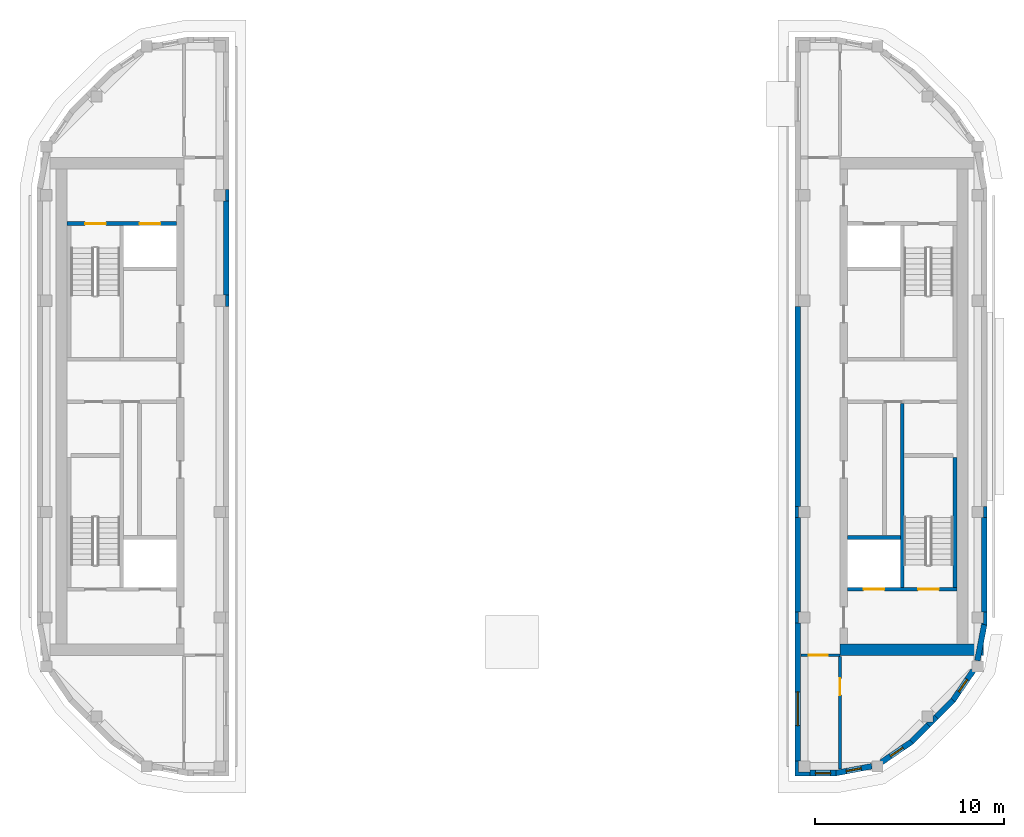
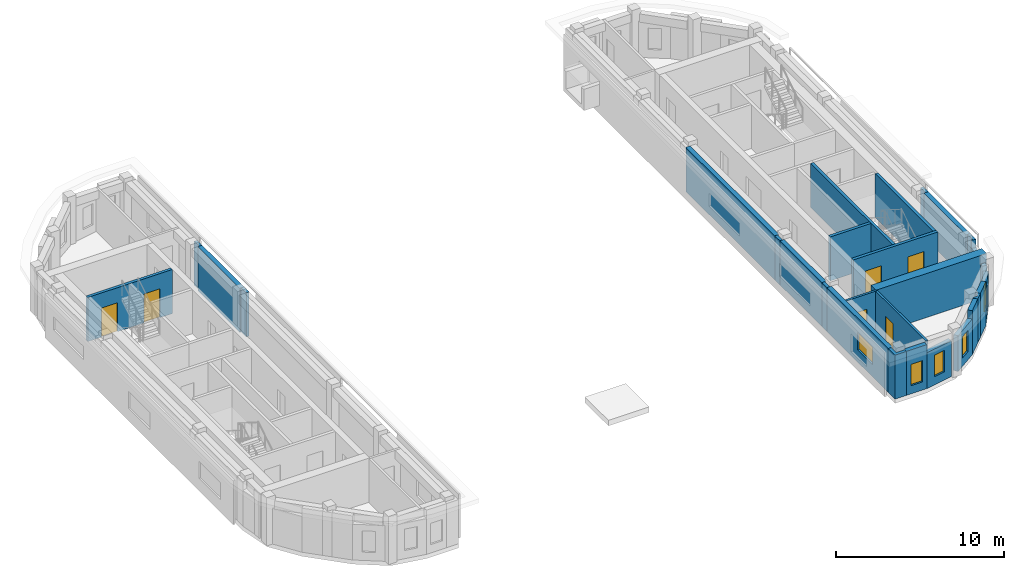
# One storey, part 3 of 11: 28 walls, 6 doors, 5 windows, 11 openings.
"""IFC4 building model written with IfcOpenShell, lengths in metres."""

from ifc_helpers import new_model, si_unit, direction, frame, frame_2d, origin, place, context, subcontext, project, spatial, polyline, rectangle, outline, extrude, material, layer, layer_set, type_object, element, fill, save


model = new_model("IFC4")

# Units and contexts
model_context = context("Model", 3, precision=1e-05, world=origin(), true_north=direction((0.0, 1.0)))
body_context = subcontext(model_context, "Body", "Model", "MODEL_VIEW")
ifc_project = project(units=[si_unit("LENGTHUNIT", "METRE"), si_unit("AREAUNIT", "SQUARE_METRE"), si_unit("VOLUMEUNIT", "CUBIC_METRE"), si_unit("PLANEANGLEUNIT", "RADIAN"), si_unit("MASSUNIT", "GRAM", prefix="KILO")], contexts=[model_context])

# Site, building, storey
site_placement = place(None, origin())
site = spatial("IfcSite", under=ifc_project, at=site_placement, CompositionType="ELEMENT")
building_placement = place(site_placement, origin())
building = spatial("IfcBuilding", under=site, at=building_placement, Name="Kiln Ring Residences", CompositionType="ELEMENT")
storey_placement = place(building_placement, frame((0.0, 0.0, 303.39990234375)))
storey = spatial("IfcBuildingStorey", under=building, at=storey_placement, Name="L78 Crown", CompositionType="ELEMENT", Elevation=303.39990234375)

# Wall
ifc_material_1 = material(Name="Gypsum shaft wall system")
ifc_layer_1 = layer(ifc_material_1, 0.199951171875)
ifc_layer_set_1 = layer_set([ifc_layer_1], Name="CORE-SHAFT-WALL-200")
wall_type_1 = type_object("IfcWallType", Name="CORE-SHAFT-WALL-200", PredefinedType="PARTITIONING", material=ifc_layer_set_1)
wall_1_placement = place(storey_placement, frame((17.800048828125, -6.949951171875, 0.0), z_axis=(0.0, 0.0, 1.0), x_axis=(1.0, 0.0, 0.0)))
element("IfcWall", 1, at=wall_1_placement, inside=storey, type_object=wall_type_1, Name="Core partition east L78 Crown 3", PredefinedType="PARTITIONING", context=body_context, shape_type="SweptSolid", body=[
    extrude(rectangle(XDim=2.800048828125, YDim=0.199951171875, at=frame_2d((1.39990234375, 0.0))), origin(), (0.0, 0.0, 1.0), 3.2001953125),
])

# Wall, openings, doors
ifc_material_2 = material(Name="Concrete C40/50", Category="concrete")
ifc_layer_2 = layer(ifc_material_2, 0.199951171875)
ifc_layer_set_2 = layer_set([ifc_layer_2], Name="CORE-WALL-RC200")
wall_type_2 = type_object("IfcWallType", Name="CORE-WALL-RC200", PredefinedType="SHEAR", material=ifc_layer_set_2)
wall_2_placement = place(storey_placement, frame((-17.800048828125, 9.699951171875, 0.0), z_axis=(0.0, 0.0, 1.0), x_axis=(-1.0, 0.0, 0.0)))
wall_2 = element("IfcWall", 2, at=wall_2_placement, inside=storey, type_object=wall_type_2, Name="Core wall west L78 Crown 9", PredefinedType="SHEAR", context=body_context, shape_type="SweptSolid", body=[
    extrude(rectangle(XDim=5.800048828125, YDim=0.199951171875, at=frame_2d((2.89990234375, 0.0))), origin(), (0.0, 0.0, 1.0), 3.2001953125),
])
opening_1_placement = place(wall_2_placement, frame((0.85009765625, 0.0, 0.0)))
opening_1 = element("IfcOpeningElement", 3, at=opening_1_placement, cuts=wall_2, Name="Opening L78-CW05", PredefinedType="OPENING", context=body_context, shape_type="SweptSolid", body=[
    extrude(rectangle(XDim=1.10009765625, YDim=2.10009765625, at=frame_2d((0.550048828125, 1.050048828125))), frame((0.0, 0.10986328125, 0.0), z_axis=(0.0, -1.0, 0.0), x_axis=(1.0, 0.0, 0.0)), (0.0, 0.0, 1.0), 0.219970703125),
])
opening_2_placement = place(wall_2_placement, frame((3.75, 0.0, 0.0)))
opening_2 = element("IfcOpeningElement", 4, at=opening_2_placement, cuts=wall_2, Name="Opening L78-CW08", PredefinedType="OPENING", context=body_context, shape_type="SweptSolid", body=[
    extrude(rectangle(XDim=1.10009765625, YDim=2.10009765625, at=frame_2d((0.550048828125, 1.050048828125))), frame((0.0, 0.10986328125, 0.0), z_axis=(0.0, -1.0, 0.0), x_axis=(1.0, 0.0, 0.0)), (0.0, 0.0, 1.0), 0.219970703125),
])
ifc_material_3 = material(Name="Steel door leaf", Category="steel")
door_type_1 = type_object("IfcDoorType", Name="CORE-DOOR-LD", OperationType="DOUBLE_DOOR_SLIDING", PredefinedType="DOOR", material=ifc_material_3)
door_1_placement = place(opening_1_placement, origin())
door_1 = element("IfcDoor", 5, at=door_1_placement, inside=storey, type_object=door_type_1, Name="LD W-FF L78-CW05", OperationType="DOUBLE_DOOR_SLIDING", OverallHeight=2.10009765625, OverallWidth=1.10009765625, PredefinedType="DOOR", context=body_context, shape_type="SweptSolid", body=[
    extrude(rectangle(XDim=1.10009765625, YDim=2.10009765625, at=frame_2d((0.550048828125, 1.050048828125))), frame((0.0, 0.02490234375, 0.0), z_axis=(0.0, -1.0, 0.0), x_axis=(1.0, 0.0, 0.0)), (0.0, 0.0, 1.0), 0.050048828125),
])
fill(opening_1, door_1)
ifc_material_4 = material(Name="Steel door leaf", Category="steel")
door_type_2 = type_object("IfcDoorType", Name="CORE-DOOR-STAIR", OperationType="SINGLE_SWING_LEFT", PredefinedType="DOOR", material=ifc_material_4)
door_2_placement = place(opening_2_placement, origin())
door_2 = element("IfcDoor", 6, at=door_2_placement, inside=storey, type_object=door_type_2, Name="Stair W-STN L78-CW08", OperationType="SINGLE_SWING_RIGHT", OverallHeight=2.10009765625, OverallWidth=1.10009765625, PredefinedType="DOOR", context=body_context, shape_type="SweptSolid", body=[
    extrude(rectangle(XDim=1.10009765625, YDim=2.10009765625, at=frame_2d((0.550048828125, 1.050048828125))), frame((0.0, 0.02490234375, 0.0), z_axis=(0.0, -1.0, 0.0), x_axis=(1.0, 0.0, 0.0)), (0.0, 0.0, 1.0), 0.050048828125),
])
fill(opening_2, door_2)

# Wall
wall_3_placement = place(storey_placement, frame((20.699951171875, -9.60009765625, 0.0), z_axis=(0.0, 0.0, 1.0), x_axis=(0.0, 1.0, 0.0)))
element("IfcWall", 7, at=wall_3_placement, inside=storey, type_object=wall_type_2, Name="Core wall east L78 Crown 2", PredefinedType="SHEAR", context=body_context, shape_type="SweptSolid", body=[
    extrude(rectangle(XDim=9.75, YDim=0.199951171875, at=frame_2d((4.875, 0.0))), origin(), (0.0, 0.0, 1.0), 3.2001953125),
])

# Wall, openings, doors
wall_4_placement = place(storey_placement, frame((17.800048828125, -9.699951171875, 0.0), z_axis=(0.0, 0.0, 1.0), x_axis=(1.0, 0.0, 0.0)))
wall_4 = element("IfcWall", 8, at=wall_4_placement, inside=storey, type_object=wall_type_2, Name="Core wall east L78 Crown 8", PredefinedType="SHEAR", context=body_context, shape_type="SweptSolid", body=[
    extrude(rectangle(XDim=5.800048828125, YDim=0.199951171875, at=frame_2d((2.89990234375, 0.0))), origin(), (0.0, 0.0, 1.0), 3.2001953125),
])
opening_3_placement = place(wall_4_placement, frame((0.85009765625, 0.0, 0.0)))
opening_3 = element("IfcOpeningElement", 9, at=opening_3_placement, cuts=wall_4, Name="Opening L78-CE01", PredefinedType="OPENING", context=body_context, shape_type="SweptSolid", body=[
    extrude(rectangle(XDim=1.10009765625, YDim=2.10009765625, at=frame_2d((0.550048828125, 1.050048828125))), frame((0.0, 0.10986328125, 0.0), z_axis=(0.0, -1.0, 0.0), x_axis=(1.0, 0.0, 0.0)), (0.0, 0.0, 1.0), 0.219970703125),
])
opening_4_placement = place(wall_4_placement, frame((3.75, 0.0, 0.0)))
opening_4 = element("IfcOpeningElement", 10, at=opening_4_placement, cuts=wall_4, Name="Opening L78-CE09", PredefinedType="OPENING", context=body_context, shape_type="SweptSolid", body=[
    extrude(rectangle(XDim=1.10009765625, YDim=2.10009765625, at=frame_2d((0.550048828125, 1.050048828125))), frame((0.0, 0.10986328125, 0.0), z_axis=(0.0, -1.0, 0.0), x_axis=(1.0, 0.0, 0.0)), (0.0, 0.0, 1.0), 0.219970703125),
])
door_3_placement = place(opening_3_placement, origin())
door_3 = element("IfcDoor", 11, at=door_3_placement, inside=storey, type_object=door_type_1, Name="LD E-SV L78-CE01", OperationType="DOUBLE_DOOR_SLIDING", OverallHeight=2.10009765625, OverallWidth=1.10009765625, PredefinedType="DOOR", context=body_context, shape_type="SweptSolid", body=[
    extrude(rectangle(XDim=1.10009765625, YDim=2.10009765625, at=frame_2d((0.550048828125, 1.050048828125))), frame((0.0, 0.02490234375, 0.0), z_axis=(0.0, -1.0, 0.0), x_axis=(1.0, 0.0, 0.0)), (0.0, 0.0, 1.0), 0.050048828125),
])
fill(opening_3, door_3)
door_4_placement = place(opening_4_placement, origin())
door_4 = element("IfcDoor", 12, at=door_4_placement, inside=storey, type_object=door_type_2, Name="Stair E-STS L78-CE09", OperationType="SINGLE_SWING_LEFT", OverallHeight=2.10009765625, OverallWidth=1.10009765625, PredefinedType="DOOR", context=body_context, shape_type="SweptSolid", body=[
    extrude(rectangle(XDim=1.10009765625, YDim=2.10009765625, at=frame_2d((0.550048828125, 1.050048828125))), frame((0.0, 0.02490234375, 0.0), z_axis=(0.0, -1.0, 0.0), x_axis=(1.0, 0.0, 0.0)), (0.0, 0.0, 1.0), 0.050048828125),
])
fill(opening_4, door_4)

# Walls
wall_5_placement = place(storey_placement, frame((23.5, -9.60009765625, 0.0), z_axis=(0.0, 0.0, 1.0), x_axis=(0.0, 1.0, 0.0)))
element("IfcWall", 13, at=wall_5_placement, inside=storey, type_object=wall_type_2, Name="Core wall east L78 Crown 11", PredefinedType="SHEAR", context=body_context, shape_type="SweptSolid", body=[
    extrude(rectangle(XDim=6.900146484375, YDim=0.199951171875, at=frame_2d((3.4501953125, 0.0))), origin(), (0.0, 0.0, 1.0), 3.2001953125),
])
ifc_material_5 = material(Name="Concrete C60/75", Category="concrete")
ifc_layer_3 = layer(ifc_material_5, 0.60009765625)
ifc_layer_set_3 = layer_set([ifc_layer_3], Name="CORE-WALL-RC600")
wall_type_3 = type_object("IfcWallType", Name="CORE-WALL-RC600", PredefinedType="SHEAR", material=ifc_layer_set_3)
wall_6_placement = place(storey_placement, frame((17.39990234375, -12.89990234375, 0.0), z_axis=(0.0, 0.0, 1.0), x_axis=(1.0, 0.0, 0.0)))
element("IfcWall", 14, at=wall_6_placement, inside=storey, type_object=wall_type_3, Name="Core wall east L78 Crown 5", PredefinedType="SHEAR", context=body_context, shape_type="SweptSolid", body=[
    extrude(rectangle(XDim=7.60009765625, YDim=0.60009765625, at=frame_2d((3.800048828125, 0.0))), origin(), (0.0, 0.0, 1.0), 3.2001953125),
])
ifc_material_6 = material(Name="Brick masonry, dark clay brick", Category="masonry")
ifc_layer_4 = layer(ifc_material_6, 0.300048828125)
ifc_layer_set_4 = layer_set([ifc_layer_4], Name="EW-300 BRICK WALL")
wall_type_4 = type_object("IfcWallType", Name="EW-300 BRICK WALL", PredefinedType="SOLIDWALL", material=ifc_layer_set_4)
wall_7_placement = place(storey_placement, frame((-15.14990234375, 5.89990234375, 0.0), z_axis=(0.0, 0.0, 1.0), x_axis=(0.0, 1.0, 0.0)))
element("IfcWall", 15, at=wall_7_placement, inside=storey, type_object=wall_type_4, Name="Facade wall L78 Crown 7", PredefinedType="SOLIDWALL", context=body_context, shape_type="SweptSolid", body=[
    extrude(rectangle(XDim=5.0, YDim=0.300048828125, at=frame_2d((2.5, 0.0))), origin(), (0.0, 0.0, 1.0), 3.2001953125),
])
wall_8_placement = place(storey_placement, frame((15.14990234375, 5.300048828125, 0.0), z_axis=(0.0, 0.0, 1.0), x_axis=(0.0, -1.0, 0.0)))
element("IfcWall", 16, at=wall_8_placement, inside=storey, type_object=wall_type_4, Name="Facade wall L78 Crown 25", PredefinedType="SOLIDWALL", context=body_context, shape_type="SweptSolid", body=[
    extrude(rectangle(XDim=10.60009765625, YDim=0.300048828125, at=frame_2d((5.300048828125, 0.0))), origin(), (0.0, 0.0, 1.0), 3.2001953125),
])
wall_9_placement = place(storey_placement, frame((15.14990234375, -5.89990234375, 0.0), z_axis=(0.0, 0.0, 1.0), x_axis=(0.0, -1.0, 0.0)))
element("IfcWall", 17, at=wall_9_placement, inside=storey, type_object=wall_type_4, Name="Facade wall L78 Crown 26", PredefinedType="SOLIDWALL", context=body_context, shape_type="SweptSolid", body=[
    extrude(rectangle(XDim=5.0, YDim=0.300048828125, at=frame_2d((2.5, 0.0))), origin(), (0.0, 0.0, 1.0), 3.2001953125),
])

# Wall, opening, window
wall_10_placement = place(storey_placement, frame((15.14990234375, -11.5, 0.0), z_axis=(0.0, 0.0, 1.0), x_axis=(0.0, -1.0, 0.0)))
wall_10 = element("IfcWall", 18, at=wall_10_placement, inside=storey, type_object=wall_type_4, Name="Facade wall L78 Crown 27", PredefinedType="SOLIDWALL", context=body_context, shape_type="SweptSolid", body=[
    extrude(rectangle(XDim=7.300048828125, YDim=0.300048828125, at=frame_2d((3.64990234375, 0.0))), origin(), (0.0, 0.0, 1.0), 3.2001953125),
])
opening_5_placement = place(wall_10_placement, frame((3.637451171875, 0.0, 0.89990234375)))
opening_5 = element("IfcOpeningElement", 19, at=opening_5_placement, cuts=wall_10, Name="Opening W2", PredefinedType="OPENING", context=body_context, shape_type="SweptSolid", body=[
    extrude(rectangle(XDim=1.800048828125, YDim=1.25, at=frame_2d((0.89990234375, 0.625))), frame((0.0, 0.159912109375, 0.0), z_axis=(0.0, -1.0, 0.0), x_axis=(1.0, 0.0, 0.0)), (0.0, 0.0, 1.0), 0.320068359375),
])
ifc_material_7 = material(Name="Aluminium frame with double glazing", Category="aluminium")
window_type_1 = type_object("IfcWindowType", Name="WINDOW 1800 x 1250", PartitioningType="SINGLE_PANEL", PredefinedType="WINDOW", material=ifc_material_7)
window_1_placement = place(opening_5_placement, origin())
window_1 = element("IfcWindow", 20, at=window_1_placement, inside=storey, type_object=window_type_1, Name="Window L78 Crown 11", OverallHeight=1.25, OverallWidth=1.800048828125, PartitioningType="SINGLE_PANEL", PredefinedType="WINDOW", context=body_context, shape_type="SweptSolid", body=[
    extrude(rectangle(XDim=1.800048828125, YDim=1.25, at=frame_2d((0.89990234375, 0.625))), frame((0.0, 0.030029296875, 0.0), z_axis=(0.0, -1.0, 0.0), x_axis=(1.0, 0.0, 0.0)), (0.0, 0.0, 1.0), 0.06005859375),
])
fill(opening_5, window_1)

wall_11_placement = place(storey_placement, frame((15.800048828125, -19.449951171875, 0.0), z_axis=(0.0, 0.0, 1.0), x_axis=(1.0, 0.0, 0.0)))
wall_11 = element("IfcWall", 21, at=wall_11_placement, inside=storey, type_object=wall_type_4, Name="Facade wall L78 Crown 28", PredefinedType="SOLIDWALL", context=body_context, shape_type="SweptSolid", body=[
    extrude(rectangle(XDim=1.39990234375, YDim=0.300048828125, at=frame_2d((0.699951171875, 0.0))), origin(), (0.0, 0.0, 1.0), 3.2001953125),
])
opening_6_placement = place(wall_11_placement, frame((0.300048828125, 0.0, 0.60009765625)))
opening_6 = element("IfcOpeningElement", 22, at=opening_6_placement, cuts=wall_11, Name="Opening W5", PredefinedType="OPENING", context=body_context, shape_type="SweptSolid", body=[
    extrude(rectangle(XDim=0.800048828125, YDim=1.550048828125, at=frame_2d((0.39990234375, 0.77490234375))), frame((0.0, 0.159912109375, 0.0), z_axis=(0.0, -1.0, 0.0), x_axis=(1.0, 0.0, 0.0)), (0.0, 0.0, 1.0), 0.320068359375),
])
ifc_material_8 = material(Name="Aluminium frame with double glazing", Category="aluminium")
window_type_2 = type_object("IfcWindowType", Name="WINDOW 800 x 1550", PartitioningType="SINGLE_PANEL", PredefinedType="WINDOW", material=ifc_material_8)
window_2_placement = place(opening_6_placement, origin())
window_2 = element("IfcWindow", 23, at=window_2_placement, inside=storey, type_object=window_type_2, Name="Window L78 Crown 12", OverallHeight=1.550048828125, OverallWidth=0.800048828125, PartitioningType="SINGLE_PANEL", PredefinedType="WINDOW", context=body_context, shape_type="SweptSolid", body=[
    extrude(rectangle(XDim=0.800048828125, YDim=1.550048828125, at=frame_2d((0.39990234375, 0.77490234375))), frame((0.0, 0.030029296875, 0.0), z_axis=(0.0, -1.0, 0.0), x_axis=(1.0, 0.0, 0.0)), (0.0, 0.0, 1.0), 0.06005859375),
])
fill(opening_6, window_2)

wall_12_placement = place(storey_placement, frame((17.171875, -19.45263671875, 0.0), z_axis=(0.0, 0.0, 1.0), x_axis=(0.982286967073, 0.187382801553, 0.0)))
wall_12 = element("IfcWall", 24, at=wall_12_placement, inside=storey, type_object=wall_type_4, Name="Facade wall L78 Crown 29", PredefinedType="SOLIDWALL", context=body_context, shape_type="SweptSolid", body=[
    extrude(rectangle(XDim=1.94775390625, YDim=0.300048828125, at=frame_2d((0.973876953125, 0.0))), origin(), (0.0, 0.0, 1.0), 2.60009765625),
])
opening_7_placement = place(wall_12_placement, frame((0.573974609375, 0.0, 0.60009765625)))
opening_7 = element("IfcOpeningElement", 25, at=opening_7_placement, cuts=wall_12, Name="Opening W5", PredefinedType="OPENING", context=body_context, shape_type="SweptSolid", body=[
    extrude(rectangle(XDim=0.800048828125, YDim=1.550048828125, at=frame_2d((0.39990234375, 0.77490234375))), frame((0.0, 0.159912109375, 0.0), z_axis=(0.0, -1.0, 0.0), x_axis=(1.0, 0.0, 0.0)), (0.0, 0.0, 1.0), 0.320068359375),
])
window_3_placement = place(opening_7_placement, origin())
window_3 = element("IfcWindow", 26, at=window_3_placement, inside=storey, type_object=window_type_2, Name="Window L78 Crown 13", OverallHeight=1.550048828125, OverallWidth=0.800048828125, PartitioningType="SINGLE_PANEL", PredefinedType="WINDOW", context=body_context, shape_type="SweptSolid", body=[
    extrude(rectangle(XDim=0.800048828125, YDim=1.550048828125, at=frame_2d((0.39990234375, 0.77490234375))), frame((0.0, 0.030029296875, 0.0), z_axis=(0.0, -1.0, 0.0), x_axis=(1.0, 0.0, 0.0)), (0.0, 0.0, 1.0), 0.06005859375),
])
fill(opening_7, window_3)

wall_13_placement = place(storey_placement, frame((19.601806640625, -18.873779296875, 0.0), z_axis=(0.0, 0.0, 1.0), x_axis=(0.827022075481, 0.562169446579, 0.0)))
wall_13 = element("IfcWall", 27, at=wall_13_placement, inside=storey, type_object=wall_type_4, Name="Facade wall L78 Crown 30", PredefinedType="SOLIDWALL", context=body_context, shape_type="SweptSolid", body=[
    extrude(rectangle(XDim=1.94775390625, YDim=0.300048828125, at=frame_2d((0.973876953125, 0.0))), origin(), (0.0, 0.0, 1.0), 2.60009765625),
])
opening_8_placement = place(wall_13_placement, frame((0.573974609375, 0.0, 0.60009765625)))
opening_8 = element("IfcOpeningElement", 28, at=opening_8_placement, cuts=wall_13, Name="Opening W5", PredefinedType="OPENING", context=body_context, shape_type="SweptSolid", body=[
    extrude(rectangle(XDim=0.800048828125, YDim=1.550048828125, at=frame_2d((0.39990234375, 0.77490234375))), frame((0.0, 0.159912109375, 0.0), z_axis=(0.0, -1.0, 0.0), x_axis=(1.0, 0.0, 0.0)), (0.0, 0.0, 1.0), 0.320068359375),
])
window_4_placement = place(opening_8_placement, origin())
window_4 = element("IfcWindow", 29, at=window_4_placement, inside=storey, type_object=window_type_2, Name="Window L78 Crown 14", OverallHeight=1.550048828125, OverallWidth=0.800048828125, PartitioningType="SINGLE_PANEL", PredefinedType="WINDOW", context=body_context, shape_type="SweptSolid", body=[
    extrude(rectangle(XDim=0.800048828125, YDim=1.550048828125, at=frame_2d((0.39990234375, 0.77490234375))), frame((0.0, 0.030029296875, 0.0), z_axis=(0.0, -1.0, 0.0), x_axis=(1.0, 0.0, 0.0)), (0.0, 0.0, 1.0), 0.06005859375),
])
fill(opening_8, window_4)

# Walls
for number, where, z_axis, x_axis, name in (
    (30, (21.19091796875, -17.796875, 0.0), (0.0, 0.0, 1.0), (0.707106781187, 0.707106781187, 0.0), "Facade wall L78 Crown 31"),
    (31, (22.506103515625, -16.481689453125, 0.0), (0.0, 0.0, 1.0), (0.707203678312, 0.707009870781, 0.0), "Facade wall L78 Crown 32"),
):
    element("IfcWall", number, at=place(storey_placement, frame(where, z_axis=z_axis, x_axis=x_axis)), inside=storey, type_object=wall_type_4, Name=name, PredefinedType="SOLIDWALL", context=body_context, shape_type="SweptSolid", body=[
        extrude(rectangle(XDim=1.259765625, YDim=0.300048828125, at=frame_2d((0.6298828125, 0.0))), origin(), (0.0, 0.0, 1.0), 3.2001953125),
    ])

# Wall, opening, window
wall_14_placement = place(storey_placement, frame((23.37890625, -15.61279296875, 0.0), z_axis=(0.0, 0.0, 1.0), x_axis=(0.562025435703, 0.827119948752, 0.0)))
wall_14 = element("IfcWall", 32, at=wall_14_placement, inside=storey, type_object=wall_type_4, Name="Facade wall L78 Crown 33", PredefinedType="SOLIDWALL", context=body_context, shape_type="SweptSolid", body=[
    extrude(rectangle(XDim=1.94775390625, YDim=0.300048828125, at=frame_2d((0.973876953125, 0.0))), origin(), (0.0, 0.0, 1.0), 2.60009765625),
])
opening_9_placement = place(wall_14_placement, frame((0.573974609375, 0.0, 0.60009765625)))
opening_9 = element("IfcOpeningElement", 33, at=opening_9_placement, cuts=wall_14, Name="Opening W5", PredefinedType="OPENING", context=body_context, shape_type="SweptSolid", body=[
    extrude(rectangle(XDim=0.800048828125, YDim=1.550048828125, at=frame_2d((0.39990234375, 0.77490234375))), frame((0.0, 0.159912109375, 0.0), z_axis=(0.0, -1.0, 0.0), x_axis=(1.0, 0.0, 0.0)), (0.0, 0.0, 1.0), 0.320068359375),
])
window_5_placement = place(opening_9_placement, origin())
window_5 = element("IfcWindow", 34, at=window_5_placement, inside=storey, type_object=window_type_2, Name="Window L78 Crown 15", OverallHeight=1.550048828125, OverallWidth=0.800048828125, PartitioningType="SINGLE_PANEL", PredefinedType="WINDOW", context=body_context, shape_type="SweptSolid", body=[
    extrude(rectangle(XDim=0.800048828125, YDim=1.550048828125, at=frame_2d((0.39990234375, 0.77490234375))), frame((0.0, 0.030029296875, 0.0), z_axis=(0.0, -1.0, 0.0), x_axis=(1.0, 0.0, 0.0)), (0.0, 0.0, 1.0), 0.06005859375),
])
fill(opening_9, window_5)

# Walls
wall_15_placement = place(storey_placement, frame((24.687744140625, -13.485107421875, 0.0), z_axis=(0.0, 0.0, 1.0), x_axis=(0.187354129902, 0.982292436095, 0.0)))
element("IfcWall", 35, at=wall_15_placement, inside=storey, type_object=wall_type_4, Name="Facade wall L78 Crown 34", PredefinedType="SOLIDWALL", context=body_context, shape_type="SweptSolid", body=[
    extrude(rectangle(XDim=1.94677734375, YDim=0.300048828125, at=frame_2d((0.973388671875, 0.0))), origin(), (0.0, 0.0, 1.0), 2.60009765625),
])
wall_16_placement = place(storey_placement, frame((25.050048828125, -10.89990234375, 0.0), z_axis=(0.0, 0.0, 1.0), x_axis=(0.0, 1.0, 0.0)))
element("IfcWall", 36, at=wall_16_placement, inside=storey, type_object=wall_type_4, Name="Facade wall L78 Crown 35", PredefinedType="SOLIDWALL", context=body_context, shape_type="SweptSolid", body=[
    extrude(rectangle(XDim=5.0, YDim=0.300048828125, at=frame_2d((2.5, 0.0))), origin(), (0.0, 0.0, 1.0), 3.2001953125),
])
placement = place(storey_placement, origin())
element("IfcWall", 37, at=placement, inside=storey, type_object=wall_type_4, Name="Corner wall L78 Crown 7", PredefinedType="SOLIDWALL", context=body_context, shape_type="SweptSolid", body=[
    extrude(outline(polyline([(-15.199951171875, 10.89990234375), (-15.0, 10.89990234375), (-15.0, 11.5), (-15.199951171875, 11.5), (-15.199951171875, 10.89990234375)])), origin(), (0.0, 0.0, 1.0), 3.2001953125),
])
element("IfcWall", 38, at=placement, inside=storey, type_object=wall_type_4, Name="Corner wall L78 Crown 8", PredefinedType="SOLIDWALL", context=body_context, shape_type="SweptSolid", body=[
    extrude(outline(polyline([(-15.199951171875, 5.300048828125), (-15.0, 5.300048828125), (-15.0, 5.89990234375), (-15.300048828125, 5.89990234375), (-15.199951171875, 5.89990234375), (-15.199951171875, 5.300048828125)])), origin(), (0.0, 0.0, 1.0), 3.2001953125),
])
element("IfcWall", 39, at=placement, inside=storey, type_object=wall_type_4, Name="Corner wall L78 Crown 16", PredefinedType="SOLIDWALL", context=body_context, shape_type="SweptSolid", body=[
    extrude(outline(polyline([(25.0, -5.89990234375), (25.199951171875, -5.89990234375), (25.199951171875, -5.300048828125), (25.0, -5.300048828125), (25.0, -5.89990234375)])), origin(), (0.0, 0.0, 1.0), 3.2001953125),
])
element("IfcWall", 40, at=placement, inside=storey, type_object=wall_type_4, Name="Corner wall L78 Crown 17", PredefinedType="SOLIDWALL", context=body_context, shape_type="SweptSolid", body=[
    extrude(outline(polyline([(25.199951171875, -11.600830078125), (25.199951171875, -10.89990234375), (25.0, -10.89990234375), (25.0, -11.5), (24.89990234375, -11.5), (24.89990234375, -11.56103515625), (24.9033203125, -11.544189453125), (25.199951171875, -11.600830078125)])), origin(), (0.0, 0.0, 1.0), 3.2001953125),
])
element("IfcWall", 41, at=placement, inside=storey, type_object=wall_type_4, Name="Corner wall L78 Crown 18", PredefinedType="SOLIDWALL", context=body_context, shape_type="SweptSolid", body=[
    extrude(outline(polyline([(21.9755859375, -16.800048828125), (22.18798828125, -17.01220703125), (22.612060546875, -16.587890625), (22.39990234375, -16.375732421875), (22.346435546875, -16.42919921875), (22.346435546875, -16.746337890625), (22.029296875, -16.746337890625), (21.9755859375, -16.800048828125)])), origin(), (0.0, 0.0, 1.0), 3.2001953125),
])
element("IfcWall", 42, at=placement, inside=storey, type_object=wall_type_4, Name="Corner wall L78 Crown 19", PredefinedType="SOLIDWALL", context=body_context, shape_type="SweptSolid", body=[
    extrude(outline(polyline([(15.0, -18.800048828125), (15.0, -19.60009765625), (15.800048828125, -19.60009765625), (15.800048828125, -19.39990234375), (15.199951171875, -19.39990234375), (15.199951171875, -18.800048828125), (15.0, -18.800048828125)])), origin(), (0.0, 0.0, 1.0), 3.2001953125),
])
element("IfcWall", 43, at=placement, inside=storey, type_object=wall_type_4, Name="Corner wall L78 Crown 20", PredefinedType="SOLIDWALL", context=body_context, shape_type="SweptSolid", body=[
    extrude(outline(polyline([(15.199951171875, -10.89990234375), (15.0, -10.89990234375), (15.0, -11.5), (15.199951171875, -11.5), (15.199951171875, -10.89990234375)])), origin(), (0.0, 0.0, 1.0), 3.2001953125),
])
element("IfcWall", 44, at=placement, inside=storey, type_object=wall_type_4, Name="Corner wall L78 Crown 21", PredefinedType="SOLIDWALL", context=body_context, shape_type="SweptSolid", body=[
    extrude(outline(polyline([(15.199951171875, -5.300048828125), (15.0, -5.300048828125), (15.0, -5.89990234375), (15.300048828125, -5.89990234375), (15.199951171875, -5.89990234375), (15.199951171875, -5.300048828125)])), origin(), (0.0, 0.0, 1.0), 3.2001953125),
])

# Wall, opening, door
ifc_material_9 = material(Name="Brick masonry partition", Category="masonry")
ifc_layer_5 = layer(ifc_material_9, 0.14990234375)
ifc_layer_set_5 = layer_set([ifc_layer_5], Name="PARTITION-150-ei60")
wall_type_5 = type_object("IfcWallType", Name="PARTITION-150-ei60", PredefinedType="PARTITIONING", material=ifc_layer_set_5)
wall_25_placement = place(storey_placement, frame((15.320068359375, -13.199951171875, 0.0), z_axis=(0.0, 0.0, 1.0), x_axis=(1.0, 0.0, 0.0)))
wall_25 = element("IfcWall", 45, at=wall_25_placement, inside=storey, type_object=wall_type_5, Name="Partition 001", PredefinedType="PARTITIONING", context=body_context, shape_type="SweptSolid", body=[
    extrude(rectangle(XDim=2.0849609375, YDim=0.14990234375, at=frame_2d((1.04248046875, 0.0))), origin(), (0.0, 0.0, 1.0), 3.2001953125),
])
opening_10_placement = place(wall_25_placement, frame((0.419921875, 0.0, 0.0)))
opening_10 = element("IfcOpeningElement", 46, at=opening_10_placement, cuts=wall_25, Name="Opening L78-D007", PredefinedType="OPENING", context=body_context, shape_type="SweptSolid", body=[
    extrude(rectangle(XDim=1.0, YDim=2.10009765625, at=frame_2d((0.5, 1.050048828125))), frame((0.0, 0.0849609375, 0.0), z_axis=(0.0, -1.0, 0.0), x_axis=(1.0, 0.0, 0.0)), (0.0, 0.0, 1.0), 0.169921875),
])
ifc_material_10 = material(Name="Steel faced fire door leaf", Category="steel")
door_type_3 = type_object("IfcDoorType", Name="FLAT-DOOR-1000-FR", OperationType="SINGLE_SWING_LEFT", PredefinedType="DOOR", material=ifc_material_10)
door_5_placement = place(opening_10_placement, origin())
door_5 = element("IfcDoor", 47, at=door_5_placement, inside=storey, type_object=door_type_3, Name="Door L78-D007", OperationType="SINGLE_SWING_RIGHT", OverallHeight=2.10009765625, OverallWidth=1.0, PredefinedType="DOOR", context=body_context, shape_type="SweptSolid", body=[
    extrude(rectangle(XDim=1.0, YDim=2.10009765625, at=frame_2d((0.5, 1.050048828125))), frame((0.0, 0.02490234375, 0.0), z_axis=(0.0, -1.0, 0.0), x_axis=(1.0, 0.0, 0.0)), (0.0, 0.0, 1.0), 0.050048828125),
])
fill(opening_10, door_5)

wall_26_placement = place(storey_placement, frame((17.39990234375, -19.236328125, 0.0), z_axis=(0.0, 0.0, 1.0), x_axis=(0.0, 1.0, 0.0)))
wall_26 = element("IfcWall", 48, at=wall_26_placement, inside=storey, type_object=wall_type_5, Name="Partition 006", PredefinedType="PARTITIONING", context=body_context, shape_type="SweptSolid", body=[
    extrude(rectangle(XDim=5.96142578125, YDim=0.14990234375, at=frame_2d((2.980712890625, 0.0))), origin(), (0.0, 0.0, 1.0), 3.2001953125),
])
opening_11_placement = place(wall_26_placement, frame((3.91650390625, 0.0, 0.0)))
opening_11 = element("IfcOpeningElement", 49, at=opening_11_placement, cuts=wall_26, Name="Opening L78-D008", PredefinedType="OPENING", context=body_context, shape_type="SweptSolid", body=[
    extrude(rectangle(XDim=0.89990234375, YDim=2.10009765625, at=frame_2d((0.449951171875, 1.050048828125))), frame((0.0, 0.0849609375, 0.0), z_axis=(0.0, -1.0, 0.0), x_axis=(1.0, 0.0, 0.0)), (0.0, 0.0, 1.0), 0.169921875),
])
ifc_material_11 = material(Name="Steel faced fire door leaf", Category="steel")
door_type_4 = type_object("IfcDoorType", Name="FLAT-DOOR-900-FR", OperationType="SINGLE_SWING_LEFT", PredefinedType="DOOR", material=ifc_material_11)
door_6_placement = place(opening_11_placement, origin())
door_6 = element("IfcDoor", 50, at=door_6_placement, inside=storey, type_object=door_type_4, Name="Door L78-D008", OperationType="SINGLE_SWING_RIGHT", OverallHeight=2.10009765625, OverallWidth=0.89990234375, PredefinedType="DOOR", context=body_context, shape_type="SweptSolid", body=[
    extrude(rectangle(XDim=0.89990234375, YDim=2.10009765625, at=frame_2d((0.449951171875, 1.050048828125))), frame((0.0, 0.02490234375, 0.0), z_axis=(0.0, -1.0, 0.0), x_axis=(1.0, 0.0, 0.0)), (0.0, 0.0, 1.0), 0.050048828125),
])
fill(opening_11, door_6)

save(model, "model.ifc")
